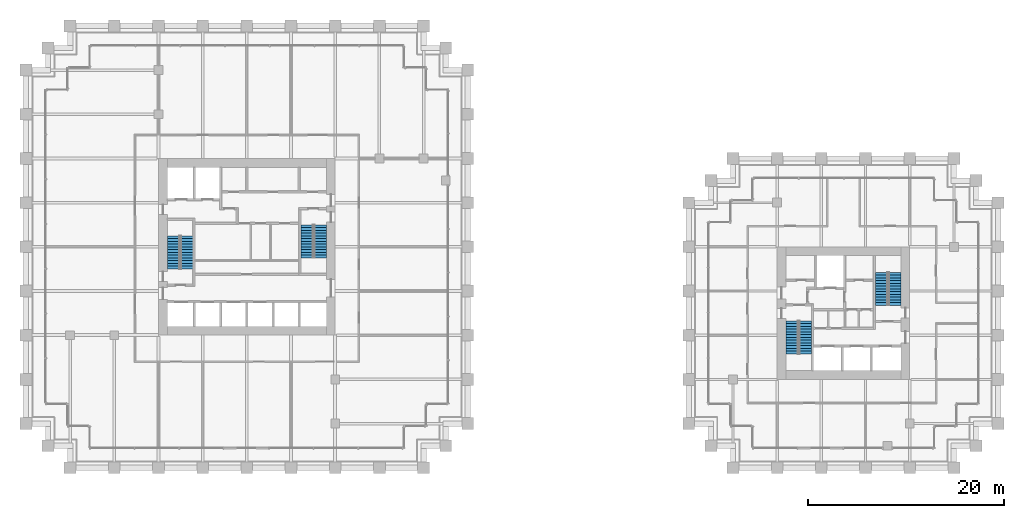
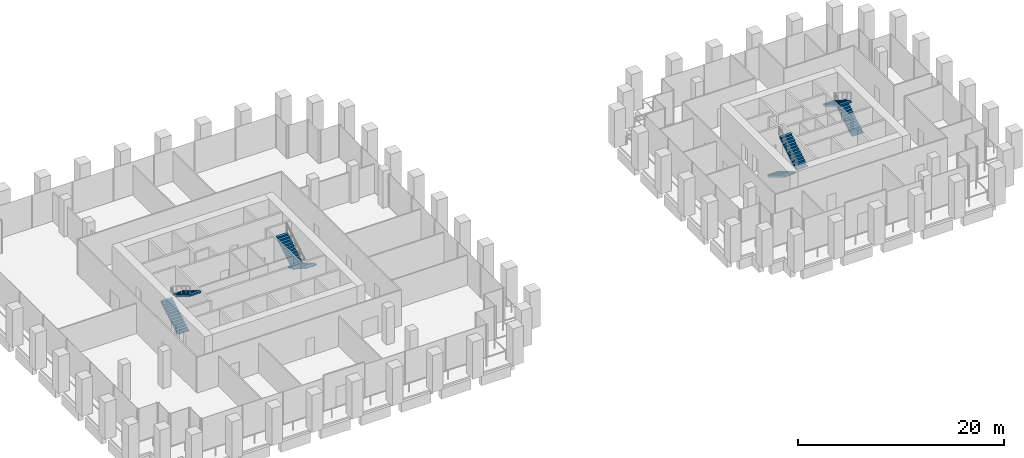
# One storey, part 34 of 36: 8 stair flights, 4 elements without a shape of their own.
"""IFC4 building model written with IfcOpenShell, lengths in metres."""

from ifc_helpers import new_model, si_unit, direction, frame, origin, place, context, subcontext, project, spatial, polyline, outline, extrude, material, type_object, element, aggregate, save


model = new_model("IFC4")

# Units and contexts
model_context = context("Model", 3, precision=1e-05, world=origin(), true_north=direction((0.0, 1.0)))
body_context = subcontext(model_context, "Body", "Model", "MODEL_VIEW")
ifc_project = project(units=[si_unit("LENGTHUNIT", "METRE"), si_unit("AREAUNIT", "SQUARE_METRE"), si_unit("VOLUMEUNIT", "CUBIC_METRE"), si_unit("PLANEANGLEUNIT", "RADIAN"), si_unit("MASSUNIT", "GRAM", prefix="KILO")], contexts=[model_context])

# Site, building, storey
site_placement = place(None, origin())
site = spatial("IfcSite", under=ifc_project, at=site_placement, CompositionType="ELEMENT")
building_placement = place(site_placement, origin())
building = spatial("IfcBuilding", under=site, at=building_placement, Name="Altepetl Exchange Towers", CompositionType="ELEMENT")
storey_placement = place(building_placement, frame((0.0, 0.0, 43.0)))
storey = spatial("IfcBuildingStorey", under=building, at=storey_placement, Name="L09", CompositionType="ELEMENT", Elevation=43.0)

# Stair, stair flights
ifc_material = material(Name="Concrete C40/50", Category="concrete")
stair_type = type_object("IfcStairType", Name="Exit stair 1250 flights dogleg", PredefinedType="HALF_TURN_STAIR", material=ifc_material)
stair_1_placement = place(storey_placement, origin())
stair_1 = element("IfcStair", 1, at=stair_1_placement, inside=storey, type_object=stair_type, Name="Exit stair 1", PredefinedType="HALF_TURN_STAIR")
stair_flight_type = type_object("IfcStairFlightType", Name="Stair flight 1250 wide", PredefinedType="STRAIGHT", material=ifc_material)
stair_flight_1_placement = place(storey_placement, frame((42.02490234375, 47.25, 0.0), z_axis=(0.0, 0.0, 1.0), x_axis=(0.0, 1.0, 0.0)))
stair_flight_1 = element("IfcStairFlight", 2, at=stair_flight_1_placement, type_object=stair_flight_type, Name="ST-A1b flight 1", NumberOfRisers=13, NumberOfTreads=12, PredefinedType="STRAIGHT", RiserHeight=0.169230769, TreadLength=0.28, context=body_context, shape_type="SweptSolid", body=[
    extrude(outline(polyline([(0.0, 0.0), (0.0, 0.169189453125), (0.280029296875, 0.169189453125), (0.280029296875, 0.33837890625), (0.56005859375, 0.33837890625), (0.56005859375, 0.5078125), (0.840087890625, 0.5078125), (0.840087890625, 0.677001953125), (1.1201171875, 0.677001953125), (1.1201171875, 0.84619140625), (1.39990234375, 0.84619140625), (1.39990234375, 1.015380859375), (1.679931640625, 1.015380859375), (1.679931640625, 1.1845703125), (1.9599609375, 1.1845703125), (1.9599609375, 1.353759765625), (2.239990234375, 1.353759765625), (2.239990234375, 1.523193359375), (2.52001953125, 1.523193359375), (2.52001953125, 1.6923828125), (2.800048828125, 1.6923828125), (2.800048828125, 1.861572265625), (3.080078125, 1.861572265625), (3.080078125, 2.03076171875), (3.360107421875, 2.03076171875), (3.360107421875, 2.199951171875), (3.360107421875, 1.855712890625), (0.289794921875, 0.0), (0.0, 0.0)])), frame((0.0, 0.625, 0.0), z_axis=(0.0, -1.0, 0.0), x_axis=(1.0, 0.0, 0.0)), (0.0, 0.0, 1.0), 1.25),
])
stair_flight_2_placement = place(storey_placement, frame((43.375, 50.610107421875, 2.199951171875), z_axis=(0.0, 0.0, 1.0), x_axis=(0.0, -1.0, 0.0)))
stair_flight_2 = element("IfcStairFlight", 3, at=stair_flight_2_placement, type_object=stair_flight_type, Name="ST-A1b flight 2", NumberOfRisers=13, NumberOfTreads=12, PredefinedType="STRAIGHT", RiserHeight=0.169230769, TreadLength=0.28, context=body_context, shape_type="SweptSolid", body=[
    extrude(outline(polyline([(0.0, 0.0), (0.0, 0.169189453125), (0.280029296875, 0.169189453125), (0.280029296875, 0.33837890625), (0.56005859375, 0.33837890625), (0.56005859375, 0.5078125), (0.840087890625, 0.5078125), (0.840087890625, 0.677001953125), (1.1201171875, 0.677001953125), (1.1201171875, 0.84619140625), (1.39990234375, 0.84619140625), (1.39990234375, 1.015380859375), (1.679931640625, 1.015380859375), (1.679931640625, 1.1845703125), (1.9599609375, 1.1845703125), (1.9599609375, 1.353759765625), (2.239990234375, 1.353759765625), (2.239990234375, 1.523193359375), (2.52001953125, 1.523193359375), (2.52001953125, 1.6923828125), (2.800048828125, 1.6923828125), (2.800048828125, 1.861572265625), (3.080078125, 1.861572265625), (3.080078125, 2.03076171875), (3.360107421875, 2.03076171875), (3.360107421875, 2.199951171875), (3.360107421875, 1.855712890625), (0.289794921875, 0.0), (0.0, 0.0)])), frame((0.0, 0.625, 0.0), z_axis=(0.0, -1.0, 0.0), x_axis=(1.0, 0.0, 0.0)), (0.0, 0.0, 1.0), 1.25),
])
aggregate(stair_1, [stair_flight_1, stair_flight_2])

stair_2_placement = place(storey_placement, origin())
stair_2 = element("IfcStair", 4, at=stair_2_placement, inside=storey, type_object=stair_type, Name="Exit stair 2", PredefinedType="HALF_TURN_STAIR")
stair_flight_3_placement = place(storey_placement, frame((56.97509765625, 51.75, 0.0), z_axis=(0.0, 0.0, 1.0), x_axis=(0.0, -1.0, 0.0)))
stair_flight_3 = element("IfcStairFlight", 5, at=stair_flight_3_placement, type_object=stair_flight_type, Name="ST-A2b flight 1", NumberOfRisers=13, NumberOfTreads=12, PredefinedType="STRAIGHT", RiserHeight=0.169230769, TreadLength=0.28, context=body_context, shape_type="SweptSolid", body=[
    extrude(outline(polyline([(0.0, 0.0), (0.0, 0.169189453125), (0.280029296875, 0.169189453125), (0.280029296875, 0.33837890625), (0.56005859375, 0.33837890625), (0.56005859375, 0.5078125), (0.840087890625, 0.5078125), (0.840087890625, 0.677001953125), (1.1201171875, 0.677001953125), (1.1201171875, 0.84619140625), (1.39990234375, 0.84619140625), (1.39990234375, 1.015380859375), (1.679931640625, 1.015380859375), (1.679931640625, 1.1845703125), (1.9599609375, 1.1845703125), (1.9599609375, 1.353759765625), (2.239990234375, 1.353759765625), (2.239990234375, 1.523193359375), (2.52001953125, 1.523193359375), (2.52001953125, 1.6923828125), (2.800048828125, 1.6923828125), (2.800048828125, 1.861572265625), (3.080078125, 1.861572265625), (3.080078125, 2.03076171875), (3.360107421875, 2.03076171875), (3.360107421875, 2.199951171875), (3.360107421875, 1.855712890625), (0.289794921875, 0.0), (0.0, 0.0)])), frame((0.0, 0.625, 0.0), z_axis=(0.0, -1.0, 0.0), x_axis=(1.0, 0.0, 0.0)), (0.0, 0.0, 1.0), 1.25),
])
stair_flight_4_placement = place(storey_placement, frame((55.625, 48.389892578125, 2.199951171875), z_axis=(0.0, 0.0, 1.0), x_axis=(0.0, 1.0, 0.0)))
stair_flight_4 = element("IfcStairFlight", 6, at=stair_flight_4_placement, type_object=stair_flight_type, Name="ST-A2b flight 2", NumberOfRisers=13, NumberOfTreads=12, PredefinedType="STRAIGHT", RiserHeight=0.169230769, TreadLength=0.28, context=body_context, shape_type="SweptSolid", body=[
    extrude(outline(polyline([(0.0, 0.0), (0.0, 0.169189453125), (0.280029296875, 0.169189453125), (0.280029296875, 0.33837890625), (0.56005859375, 0.33837890625), (0.56005859375, 0.5078125), (0.840087890625, 0.5078125), (0.840087890625, 0.677001953125), (1.1201171875, 0.677001953125), (1.1201171875, 0.84619140625), (1.39990234375, 0.84619140625), (1.39990234375, 1.015380859375), (1.679931640625, 1.015380859375), (1.679931640625, 1.1845703125), (1.9599609375, 1.1845703125), (1.9599609375, 1.353759765625), (2.239990234375, 1.353759765625), (2.239990234375, 1.523193359375), (2.52001953125, 1.523193359375), (2.52001953125, 1.6923828125), (2.800048828125, 1.6923828125), (2.800048828125, 1.861572265625), (3.080078125, 1.861572265625), (3.080078125, 2.03076171875), (3.360107421875, 2.03076171875), (3.360107421875, 2.199951171875), (3.360107421875, 1.855712890625), (0.289794921875, 0.0), (0.0, 0.0)])), frame((0.0, 0.625, 0.0), z_axis=(0.0, -1.0, 0.0), x_axis=(1.0, 0.0, 0.0)), (0.0, 0.0, 1.0), 1.25),
])
aggregate(stair_2, [stair_flight_3, stair_flight_4])

stair_3_placement = place(storey_placement, origin())
stair_3 = element("IfcStair", 7, at=stair_3_placement, inside=storey, type_object=stair_type, Name="Exit stair 1", PredefinedType="HALF_TURN_STAIR")
stair_flight_5_placement = place(storey_placement, frame((105.02490234375, 41.949951171875, 0.0), z_axis=(0.0, 0.0, 1.0), x_axis=(0.0, -1.0, 0.0)))
stair_flight_5 = element("IfcStairFlight", 8, at=stair_flight_5_placement, type_object=stair_flight_type, Name="ST-B1b flight 1", NumberOfRisers=13, NumberOfTreads=12, PredefinedType="STRAIGHT", RiserHeight=0.169230769, TreadLength=0.28, context=body_context, shape_type="SweptSolid", body=[
    extrude(outline(polyline([(0.0, 0.0), (0.0, 0.169189453125), (0.280029296875, 0.169189453125), (0.280029296875, 0.33837890625), (0.56005859375, 0.33837890625), (0.56005859375, 0.5078125), (0.840087890625, 0.5078125), (0.840087890625, 0.677001953125), (1.1201171875, 0.677001953125), (1.1201171875, 0.84619140625), (1.39990234375, 0.84619140625), (1.39990234375, 1.015380859375), (1.679931640625, 1.015380859375), (1.679931640625, 1.1845703125), (1.9599609375, 1.1845703125), (1.9599609375, 1.353759765625), (2.239990234375, 1.353759765625), (2.239990234375, 1.523193359375), (2.52001953125, 1.523193359375), (2.52001953125, 1.6923828125), (2.800048828125, 1.6923828125), (2.800048828125, 1.861572265625), (3.080078125, 1.861572265625), (3.080078125, 2.03076171875), (3.360107421875, 2.03076171875), (3.360107421875, 2.199951171875), (3.360107421875, 1.855712890625), (0.289794921875, 0.0), (0.0, 0.0)])), frame((0.0, 0.625, 0.0), z_axis=(0.0, -1.0, 0.0), x_axis=(1.0, 0.0, 0.0)), (0.0, 0.0, 1.0), 1.25),
])
stair_flight_6_placement = place(storey_placement, frame((106.375, 38.590087890625, 2.199951171875), z_axis=(0.0, 0.0, 1.0), x_axis=(0.0, 1.0, 0.0)))
stair_flight_6 = element("IfcStairFlight", 9, at=stair_flight_6_placement, type_object=stair_flight_type, Name="ST-B1b flight 2", NumberOfRisers=13, NumberOfTreads=12, PredefinedType="STRAIGHT", RiserHeight=0.169230769, TreadLength=0.28, context=body_context, shape_type="SweptSolid", body=[
    extrude(outline(polyline([(0.0, 0.0), (0.0, 0.169189453125), (0.280029296875, 0.169189453125), (0.280029296875, 0.33837890625), (0.56005859375, 0.33837890625), (0.56005859375, 0.5078125), (0.840087890625, 0.5078125), (0.840087890625, 0.677001953125), (1.1201171875, 0.677001953125), (1.1201171875, 0.84619140625), (1.39990234375, 0.84619140625), (1.39990234375, 1.015380859375), (1.679931640625, 1.015380859375), (1.679931640625, 1.1845703125), (1.9599609375, 1.1845703125), (1.9599609375, 1.353759765625), (2.239990234375, 1.353759765625), (2.239990234375, 1.523193359375), (2.52001953125, 1.523193359375), (2.52001953125, 1.6923828125), (2.800048828125, 1.6923828125), (2.800048828125, 1.861572265625), (3.080078125, 1.861572265625), (3.080078125, 2.03076171875), (3.360107421875, 2.03076171875), (3.360107421875, 2.199951171875), (3.360107421875, 1.855712890625), (0.289794921875, 0.0), (0.0, 0.0)])), frame((0.0, 0.625, 0.0), z_axis=(0.0, -1.0, 0.0), x_axis=(1.0, 0.0, 0.0)), (0.0, 0.0, 1.0), 1.25),
])
aggregate(stair_3, [stair_flight_5, stair_flight_6])

stair_4_placement = place(storey_placement, origin())
stair_4 = element("IfcStair", 10, at=stair_4_placement, inside=storey, type_object=stair_type, Name="Exit stair 2", PredefinedType="HALF_TURN_STAIR")
stair_flight_7_placement = place(storey_placement, frame((115.47509765625, 43.550048828125, 0.0), z_axis=(0.0, 0.0, 1.0), x_axis=(0.0, 1.0, 0.0)))
stair_flight_7 = element("IfcStairFlight", 11, at=stair_flight_7_placement, type_object=stair_flight_type, Name="ST-B2b flight 1", NumberOfRisers=13, NumberOfTreads=12, PredefinedType="STRAIGHT", RiserHeight=0.169230769, TreadLength=0.28, context=body_context, shape_type="SweptSolid", body=[
    extrude(outline(polyline([(0.0, 0.0), (0.0, 0.169189453125), (0.280029296875, 0.169189453125), (0.280029296875, 0.33837890625), (0.56005859375, 0.33837890625), (0.56005859375, 0.5078125), (0.840087890625, 0.5078125), (0.840087890625, 0.677001953125), (1.1201171875, 0.677001953125), (1.1201171875, 0.84619140625), (1.39990234375, 0.84619140625), (1.39990234375, 1.015380859375), (1.679931640625, 1.015380859375), (1.679931640625, 1.1845703125), (1.9599609375, 1.1845703125), (1.9599609375, 1.353759765625), (2.239990234375, 1.353759765625), (2.239990234375, 1.523193359375), (2.52001953125, 1.523193359375), (2.52001953125, 1.6923828125), (2.800048828125, 1.6923828125), (2.800048828125, 1.861572265625), (3.080078125, 1.861572265625), (3.080078125, 2.03076171875), (3.360107421875, 2.03076171875), (3.360107421875, 2.199951171875), (3.360107421875, 1.855712890625), (0.289794921875, 0.0), (0.0, 0.0)])), frame((0.0, 0.625, 0.0), z_axis=(0.0, -1.0, 0.0), x_axis=(1.0, 0.0, 0.0)), (0.0, 0.0, 1.0), 1.25),
])
stair_flight_8_placement = place(storey_placement, frame((114.125, 46.909912109375, 2.199951171875), z_axis=(0.0, 0.0, 1.0), x_axis=(0.0, -1.0, 0.0)))
stair_flight_8 = element("IfcStairFlight", 12, at=stair_flight_8_placement, type_object=stair_flight_type, Name="ST-B2b flight 2", NumberOfRisers=13, NumberOfTreads=12, PredefinedType="STRAIGHT", RiserHeight=0.169230769, TreadLength=0.28, context=body_context, shape_type="SweptSolid", body=[
    extrude(outline(polyline([(0.0, 0.0), (0.0, 0.169189453125), (0.280029296875, 0.169189453125), (0.280029296875, 0.33837890625), (0.56005859375, 0.33837890625), (0.56005859375, 0.5078125), (0.840087890625, 0.5078125), (0.840087890625, 0.677001953125), (1.1201171875, 0.677001953125), (1.1201171875, 0.84619140625), (1.39990234375, 0.84619140625), (1.39990234375, 1.015380859375), (1.679931640625, 1.015380859375), (1.679931640625, 1.1845703125), (1.9599609375, 1.1845703125), (1.9599609375, 1.353759765625), (2.239990234375, 1.353759765625), (2.239990234375, 1.523193359375), (2.52001953125, 1.523193359375), (2.52001953125, 1.6923828125), (2.800048828125, 1.6923828125), (2.800048828125, 1.861572265625), (3.080078125, 1.861572265625), (3.080078125, 2.03076171875), (3.360107421875, 2.03076171875), (3.360107421875, 2.199951171875), (3.360107421875, 1.855712890625), (0.289794921875, 0.0), (0.0, 0.0)])), frame((0.0, 0.625, 0.0), z_axis=(0.0, -1.0, 0.0), x_axis=(1.0, 0.0, 0.0)), (0.0, 0.0, 1.0), 1.25),
])
aggregate(stair_4, [stair_flight_7, stair_flight_8])

save(model, "model.ifc")
